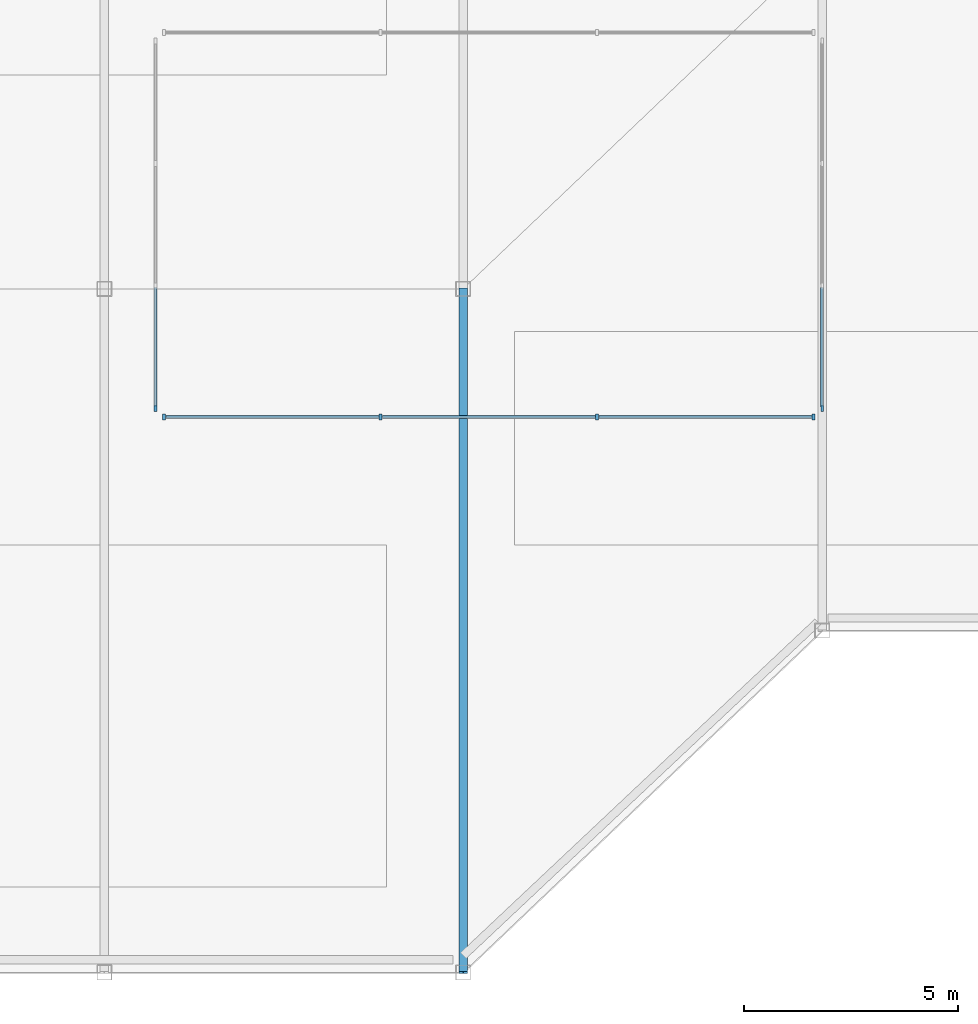
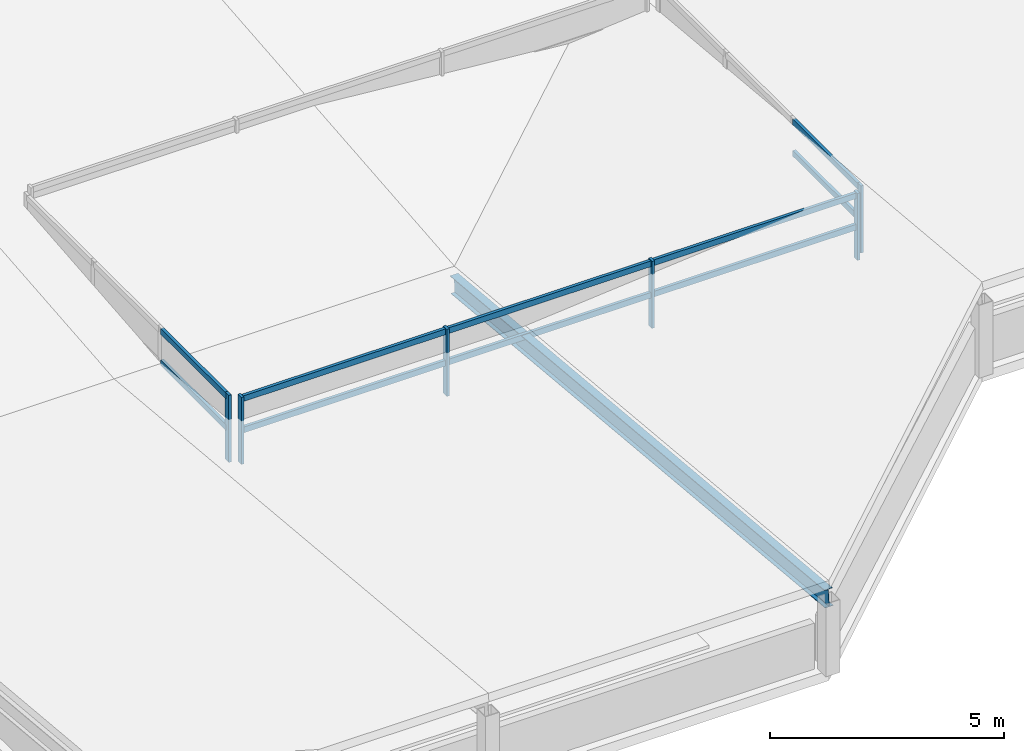
# One storey, part 2 of 5: 17 members, 3 elements without a shape of their own.
"""IFC4 building model written with IfcOpenShell, lengths in metres."""

from ifc_helpers import new_model, si_unit, direction, frame, origin, origin_2d, place, context, subcontext, project, spatial, rectangle, i_section, extrude, material, layer, layer_set, material_profile, profile_set, type_object, element, aggregate, save


model = new_model("IFC4")

# Units and contexts
model_context = context("Model", 3, precision=1e-05, world=origin(), true_north=direction((0.0, 1.0)))
body_context = subcontext(model_context, "Body", "Model", "MODEL_VIEW")
ifc_project = project(units=[si_unit("LENGTHUNIT", "METRE"), si_unit("AREAUNIT", "SQUARE_METRE"), si_unit("VOLUMEUNIT", "CUBIC_METRE"), si_unit("PLANEANGLEUNIT", "RADIAN"), si_unit("MASSUNIT", "GRAM", prefix="KILO")], contexts=[model_context])

# Site, building, storey
site_placement = place(None, origin())
site = spatial("IfcSite", under=ifc_project, at=site_placement, CompositionType="ELEMENT")
building_placement = place(site_placement, origin())
building = spatial("IfcBuilding", under=site, at=building_placement, Name="Naruveol Harbour Congress Hotel", CompositionType="ELEMENT")
storey_placement = place(building_placement, frame((0.0, 0.0, 51.60009765625)))
storey = spatial("IfcBuildingStorey", under=building, at=storey_placement, Name="RF", CompositionType="ELEMENT", Elevation=51.60009765625)

# Member
ifc_material_1 = material(Name="Steel SN490", Category="steel")
ifc_material_profile_1 = material_profile(ifc_material_1, i_section(OverallWidth=0.199951171875, OverallDepth=0.449951171875, WebThickness=0.009033203125, FlangeThickness=0.013916015625, at=origin_2d()), Name="H-450x200x9x14")
ifc_profile_set_1 = profile_set([ifc_material_profile_1], Name="Steel SN490")
member_type_1 = type_object("IfcMemberType", Name="STEEL BUTTERFLY CROWN RAFTER H450", PredefinedType="RAFTER", material=ifc_profile_set_1)
member_1_placement = place(storey_placement, frame((142.800048828125, 16.0, 0.39990234375), z_axis=(0.0, -0.995634226059, 0.093340708693), x_axis=(1.0, 0.0, 0.0)))
element("IfcMember", 1, at=member_1_placement, inside=storey, type_object=member_type_1, Name="Butterfly crown south rafter S3", PredefinedType="RAFTER", context=body_context, shape_type="SweptSolid", body=[
    extrude(i_section(OverallWidth=0.199951171875, OverallDepth=0.449951171875, WebThickness=0.009033203125, FlangeThickness=0.013916015625, at=origin_2d()), origin(), (0.0, 0.0, 1.0), 16.070068359375),
])

# Curtain wall, members
ifc_material_2 = material(Name="Low-E Curtain Wall System", Category="glass")
ifc_layer_1 = layer(ifc_material_2, 0.179931640625)
ifc_layer_set_1 = layer_set([ifc_layer_1], Name="Low-E Curtain Wall System")
curtain_wall_type_1 = type_object("IfcCurtainWallType", Name="UNITISED CURTAIN WALL CW-RFP-58 15200X1750", PredefinedType="USERDEFINED", material=ifc_layer_set_1)
curtain_wall_1_placement = place(storey_placement, origin())
curtain_wall_1 = element("IfcCurtainWall", 2, at=curtain_wall_1_placement, inside=storey, type_object=curtain_wall_type_1, Name="Unitised curtain wall CW-RFP-58 RF", ObjectType="UNITISED GLAZING", PredefinedType="USERDEFINED")
ifc_material_3 = material(Name="Anodised Aluminium 6063-T6", Category="aluminium")
ifc_material_profile_2 = material_profile(ifc_material_3, rectangle(XDim=0.06494140625, YDim=0.14990234375, at=origin_2d()), Name="ALU-65x150")
ifc_profile_set_2 = profile_set([ifc_material_profile_2], Name="Anodised Aluminium 6063-T6")
member_type_2 = type_object("IfcMemberType", Name="THERMAL ALUMINIUM MULLION 65X150", PredefinedType="MULLION", material=ifc_profile_set_2)
member_2_placement = place(storey_placement, frame((151.0, 13.0, 0.0), z_axis=(0.0, 0.0, 1.0), x_axis=(1.0, 0.0, 0.0)))
member_2 = element("IfcMember", 3, at=member_2_placement, type_object=member_type_2, Name="Curtain wall mullion CW-RF-0155-M0", PredefinedType="MULLION", context=body_context, shape_type="SweptSolid", body=[
    extrude(rectangle(XDim=0.06494140625, YDim=0.14990234375, at=origin_2d()), origin(), (0.0, 0.0, 1.0), 1.75),
])
member_3_placement = place(storey_placement, frame((145.933349609375, 13.0, 0.0), z_axis=(0.0, 0.0, 1.0), x_axis=(1.0, 0.0, 0.0)))
member_3 = element("IfcMember", 4, at=member_3_placement, type_object=member_type_2, Name="Curtain wall mullion CW-RF-0155-M1", PredefinedType="MULLION", context=body_context, shape_type="SweptSolid", body=[
    extrude(rectangle(XDim=0.06494140625, YDim=0.14990234375, at=origin_2d()), origin(), (0.0, 0.0, 1.0), 1.75),
])
member_4_placement = place(storey_placement, frame((140.86669921875, 13.0, 0.0), z_axis=(0.0, 0.0, 1.0), x_axis=(1.0, 0.0, 0.0)))
member_4 = element("IfcMember", 5, at=member_4_placement, type_object=member_type_2, Name="Curtain wall mullion CW-RF-0155-M2", PredefinedType="MULLION", context=body_context, shape_type="SweptSolid", body=[
    extrude(rectangle(XDim=0.06494140625, YDim=0.14990234375, at=origin_2d()), origin(), (0.0, 0.0, 1.0), 1.75),
])
member_5_placement = place(storey_placement, frame((135.800048828125, 13.0, 0.0), z_axis=(0.0, 0.0, 1.0), x_axis=(1.0, 0.0, 0.0)))
member_5 = element("IfcMember", 6, at=member_5_placement, type_object=member_type_2, Name="Curtain wall mullion CW-RF-0155-M3", PredefinedType="MULLION", context=body_context, shape_type="SweptSolid", body=[
    extrude(rectangle(XDim=0.06494140625, YDim=0.14990234375, at=origin_2d()), origin(), (0.0, 0.0, 1.0), 1.75),
])

# Curtain wall, member
ifc_material_4 = material(Name="Low-E Curtain Wall System", Category="glass")
ifc_layer_2 = layer(ifc_material_4, 0.179931640625)
ifc_layer_set_2 = layer_set([ifc_layer_2], Name="Low-E Curtain Wall System")
curtain_wall_type_2 = type_object("IfcCurtainWallType", Name="UNITISED CURTAIN WALL CW-RFP-59 8600X1750", PredefinedType="USERDEFINED", material=ifc_layer_set_2)
curtain_wall_2_placement = place(storey_placement, origin())
curtain_wall_2 = element("IfcCurtainWall", 7, at=curtain_wall_2_placement, inside=storey, type_object=curtain_wall_type_2, Name="Unitised curtain wall CW-RFP-59 RF", ObjectType="UNITISED GLAZING", PredefinedType="USERDEFINED")
member_6_placement = place(storey_placement, frame((135.60009765625, 13.199951171875, 0.0), z_axis=(0.0, 0.0, 1.0), x_axis=(1.0, 0.0, 0.0)))
member_6 = element("IfcMember", 8, at=member_6_placement, type_object=member_type_2, Name="Curtain wall mullion CW-RF-0156-M0", PredefinedType="MULLION", context=body_context, shape_type="SweptSolid", body=[
    extrude(rectangle(XDim=0.06494140625, YDim=0.14990234375, at=origin_2d()), origin(), (0.0, 0.0, 1.0), 1.75),
])

curtain_wall_3_placement = place(storey_placement, origin())
curtain_wall_3 = element("IfcCurtainWall", 9, at=curtain_wall_3_placement, inside=storey, type_object=curtain_wall_type_2, Name="Unitised curtain wall CW-RFP-59 RF", ObjectType="UNITISED GLAZING", PredefinedType="USERDEFINED")
member_7_placement = place(storey_placement, frame((151.199951171875, 13.199951171875, 0.0), z_axis=(0.0, 0.0, 1.0), x_axis=(1.0, 0.0, 0.0)))
member_7 = element("IfcMember", 10, at=member_7_placement, type_object=member_type_2, Name="Curtain wall mullion CW-RF-0158-M3", PredefinedType="MULLION", context=body_context, shape_type="SweptSolid", body=[
    extrude(rectangle(XDim=0.06494140625, YDim=0.14990234375, at=origin_2d()), origin(), (0.0, 0.0, 1.0), 1.75),
])

# Member
ifc_material_5 = material(Name="Anodised Aluminium 6063-T6", Category="aluminium")
ifc_material_profile_3 = material_profile(ifc_material_5, rectangle(XDim=0.074951171875, YDim=0.14990234375, at=origin_2d()), Name="ALU-75x150")
ifc_profile_set_3 = profile_set([ifc_material_profile_3], Name="Anodised Aluminium 6063-T6")
member_type_3 = type_object("IfcMemberType", Name="THERMAL ALUMINIUM TRANSOM 75X150", PredefinedType="USERDEFINED", material=ifc_profile_set_3)
member_8_placement = place(storey_placement, frame((150.9599609375, 13.0, 0.849853515625), z_axis=(-1.0, 0.0, 0.0), x_axis=(0.0, -1.0, 0.0)))
member_8 = element("IfcMember", 11, at=member_8_placement, type_object=member_type_3, Name="Curtain wall transom CW-RF-0155-T0.1", ObjectType="TRANSOM", PredefinedType="USERDEFINED", context=body_context, shape_type="SweptSolid", body=[
    extrude(rectangle(XDim=0.074951171875, YDim=0.14990234375, at=origin_2d()), origin(), (0.0, 0.0, 1.0), 4.986572265625),
])

member_9_placement = place(storey_placement, frame((150.9599609375, 13.0, 1.669921875), z_axis=(-1.0, 0.0, 0.0), x_axis=(0.0, -1.0, 0.0)))
member_9 = element("IfcMember", 12, at=member_9_placement, type_object=member_type_3, Name="Curtain wall transom CW-RF-0155-T0.2", ObjectType="TRANSOM", PredefinedType="USERDEFINED", context=body_context, shape_type="SweptSolid", body=[
    extrude(rectangle(XDim=0.074951171875, YDim=0.14990234375, at=origin_2d()), origin(), (0.0, 0.0, 1.0), 4.986572265625),
])

member_10_placement = place(storey_placement, frame((145.893310546875, 13.0, 0.849853515625), z_axis=(-1.0, 0.0, 0.0), x_axis=(0.0, -1.0, 0.0)))
member_10 = element("IfcMember", 13, at=member_10_placement, type_object=member_type_3, Name="Curtain wall transom CW-RF-0155-T1.1", ObjectType="TRANSOM", PredefinedType="USERDEFINED", context=body_context, shape_type="SweptSolid", body=[
    extrude(rectangle(XDim=0.074951171875, YDim=0.14990234375, at=origin_2d()), origin(), (0.0, 0.0, 1.0), 4.986572265625),
])

member_11_placement = place(storey_placement, frame((145.893310546875, 13.0, 1.669921875), z_axis=(-1.0, 0.0, 0.0), x_axis=(0.0, -1.0, 0.0)))
member_11 = element("IfcMember", 14, at=member_11_placement, type_object=member_type_3, Name="Curtain wall transom CW-RF-0155-T1.2", ObjectType="TRANSOM", PredefinedType="USERDEFINED", context=body_context, shape_type="SweptSolid", body=[
    extrude(rectangle(XDim=0.074951171875, YDim=0.14990234375, at=origin_2d()), origin(), (0.0, 0.0, 1.0), 4.986572265625),
])

member_12_placement = place(storey_placement, frame((140.82666015625, 13.0, 0.849853515625), z_axis=(-1.0, 0.0, 0.0), x_axis=(0.0, -1.0, 0.0)))
member_12 = element("IfcMember", 15, at=member_12_placement, type_object=member_type_3, Name="Curtain wall transom CW-RF-0155-T2.1", ObjectType="TRANSOM", PredefinedType="USERDEFINED", context=body_context, shape_type="SweptSolid", body=[
    extrude(rectangle(XDim=0.074951171875, YDim=0.14990234375, at=origin_2d()), origin(), (0.0, 0.0, 1.0), 4.986572265625),
])

member_13_placement = place(storey_placement, frame((140.82666015625, 13.0, 1.669921875), z_axis=(-1.0, 0.0, 0.0), x_axis=(0.0, -1.0, 0.0)))
member_13 = element("IfcMember", 16, at=member_13_placement, type_object=member_type_3, Name="Curtain wall transom CW-RF-0155-T2.2", ObjectType="TRANSOM", PredefinedType="USERDEFINED", context=body_context, shape_type="SweptSolid", body=[
    extrude(rectangle(XDim=0.074951171875, YDim=0.14990234375, at=origin_2d()), origin(), (0.0, 0.0, 1.0), 4.986572265625),
])

aggregate(curtain_wall_1, [member_2, member_3, member_4, member_5, member_8, member_9, member_10, member_11, member_12, member_13])

member_14_placement = place(storey_placement, frame((135.60009765625, 13.239990234375, 0.849853515625), z_axis=(0.0, 1.0, 0.0), x_axis=(-1.0, 0.0, 0.0)))
member_14 = element("IfcMember", 17, at=member_14_placement, type_object=member_type_3, Name="Curtain wall transom CW-RF-0156-T0.1", ObjectType="TRANSOM", PredefinedType="USERDEFINED", context=body_context, shape_type="SweptSolid", body=[
    extrude(rectangle(XDim=0.074951171875, YDim=0.14990234375, at=origin_2d()), origin(), (0.0, 0.0, 1.0), 2.78662109375),
])

member_15_placement = place(storey_placement, frame((135.60009765625, 13.239990234375, 1.669921875), z_axis=(0.0, 1.0, 0.0), x_axis=(-1.0, 0.0, 0.0)))
member_15 = element("IfcMember", 18, at=member_15_placement, type_object=member_type_3, Name="Curtain wall transom CW-RF-0156-T0.2", ObjectType="TRANSOM", PredefinedType="USERDEFINED", context=body_context, shape_type="SweptSolid", body=[
    extrude(rectangle(XDim=0.074951171875, YDim=0.14990234375, at=origin_2d()), origin(), (0.0, 0.0, 1.0), 2.78662109375),
])

aggregate(curtain_wall_2, [member_6, member_14, member_15])

member_16_placement = place(storey_placement, frame((151.199951171875, 16.026611328125, 0.849853515625), z_axis=(0.0, -1.0, 0.0), x_axis=(1.0, 0.0, 0.0)))
member_16 = element("IfcMember", 19, at=member_16_placement, type_object=member_type_3, Name="Curtain wall transom CW-RF-0158-T2.1", ObjectType="TRANSOM", PredefinedType="USERDEFINED", context=body_context, shape_type="SweptSolid", body=[
    extrude(rectangle(XDim=0.074951171875, YDim=0.14990234375, at=origin_2d()), origin(), (0.0, 0.0, 1.0), 2.78662109375),
])

member_17_placement = place(storey_placement, frame((151.199951171875, 16.026611328125, 1.669921875), z_axis=(0.0, -1.0, 0.0), x_axis=(1.0, 0.0, 0.0)))
member_17 = element("IfcMember", 20, at=member_17_placement, type_object=member_type_3, Name="Curtain wall transom CW-RF-0158-T2.2", ObjectType="TRANSOM", PredefinedType="USERDEFINED", context=body_context, shape_type="SweptSolid", body=[
    extrude(rectangle(XDim=0.074951171875, YDim=0.14990234375, at=origin_2d()), origin(), (0.0, 0.0, 1.0), 2.78662109375),
])

aggregate(curtain_wall_3, [member_7, member_16, member_17])

save(model, "model.ifc")
